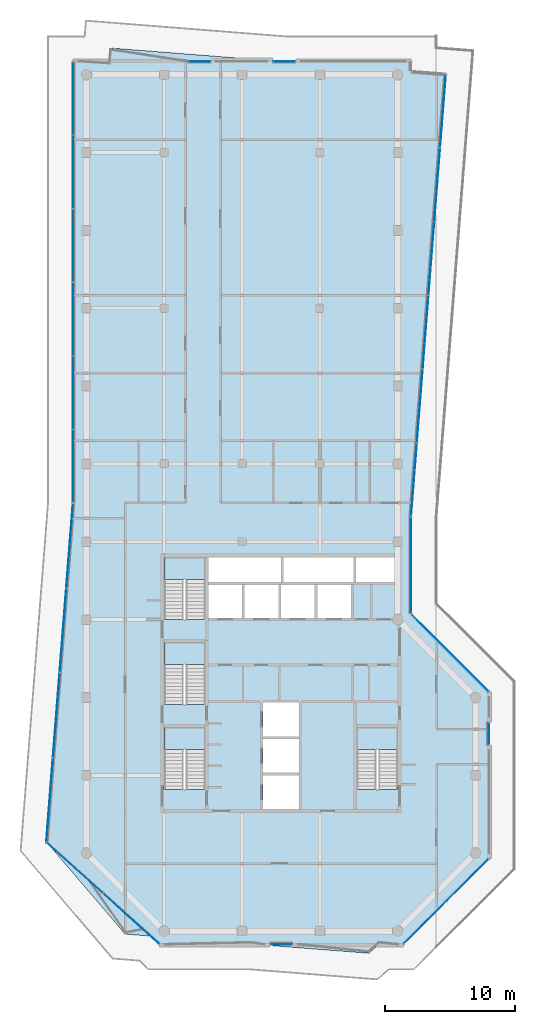
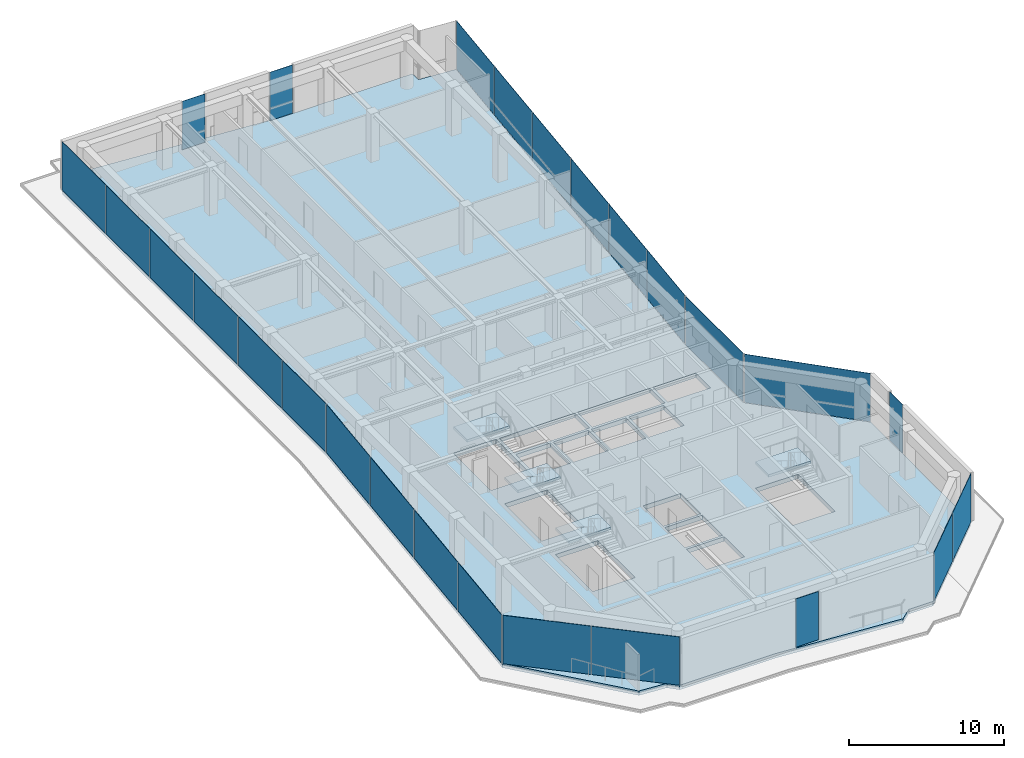
# One storey, part 15 of 22: 26 plates, 5 slabs, 15 elements without a shape of their own.
"""IFC4 building model written with IfcOpenShell, lengths in metres."""

import ifcopenshell
import ifcopenshell.guid

model = None  # the IFC model being written
_history = None  # IfcOwnerHistory: only IFC2X3 demands one
_inside = {}  # id of a spatial element -> (the spatial element, [elements in it])
_under = {}  # id of a project, library or spatial element -> (it, [spatial elements below it])
_declared = {}  # id of a project -> (the project, [libraries it declares])
_typed = {}  # id of a type object -> (the type object, [elements of that type])
_made_of = {}  # id of a material, layer set ... -> (it, [elements and type objects made of it])


def new_model(schema):
    """Start an empty IFC model of exactly this schema.

    Asked for "IFC4X3", IfcOpenShell would pick the latest addendum, in which some entities
    have other attributes; the version numbers below select the first issue.
    IFC2X3 requires an IfcOwnerHistory on every rooted entity: one is made here for all.
    """
    global model, _history
    if schema == "IFC4X3":
        model = ifcopenshell.file(schema_version=(4, 3, 0, 0))
    else:
        model = ifcopenshell.file(schema=schema)
    _inside.clear()
    _under.clear()
    _declared.clear()
    _typed.clear()
    _made_of.clear()
    _history = None
    if model.schema == "IFC2X3":
        org = make("IfcOrganization", Name="unknown")
        user = make(
            "IfcPersonAndOrganization",
            ThePerson=make("IfcPerson", FamilyName="unknown"),
            TheOrganization=org,
        )
        app = make(
            "IfcApplication",
            ApplicationDeveloper=org,
            Version="unknown",
            ApplicationFullName="unknown",
            ApplicationIdentifier="unknown",
        )
        _history = make(
            "IfcOwnerHistory",
            OwningUser=user,
            OwningApplication=app,
            ChangeAction="ADDED",
            CreationDate=0,
        )
    return model


def make(cls, **values):
    """One entity of the class cls with the attributes given. An attribute that is None is left unset."""
    return model.create_entity(
        cls, **{name: value for name, value in values.items() if value is not None}
    )


def rooted(cls, **values):
    """An entity with a GlobalId (a new one), such as an element, a storey or a relation."""
    return make(cls, GlobalId=ifcopenshell.guid.new(), OwnerHistory=_history, **values)


def si_unit(unit_type, name, prefix=None):
    """IfcSIUnit, for example si_unit("LENGTHUNIT", "METRE", prefix="MILLI")."""
    return make("IfcSIUnit", UnitType=unit_type, Prefix=prefix, Name=name)


def assignment(units):
    """IfcUnitAssignment: the units of a project."""
    return None if units is None else make("IfcUnitAssignment", Units=units)


def point(xyz):
    """IfcCartesianPoint."""
    return None if xyz is None else make("IfcCartesianPoint", Coordinates=xyz)


def direction(xyz):
    """IfcDirection."""
    return None if xyz is None else make("IfcDirection", DirectionRatios=xyz)


def frame(location, z_axis=None, x_axis=None):
    """IfcAxis2Placement3D, a coordinate frame: its origin and axes. An axis left out is left unset."""
    return make(
        "IfcAxis2Placement3D",
        Location=point(location),
        Axis=direction(z_axis),
        RefDirection=direction(x_axis),
    )


def frame_2d(location, x_axis=None):
    """IfcAxis2Placement2D, a coordinate frame in the plane: its origin and x axis."""
    return make(
        "IfcAxis2Placement2D", Location=point(location), RefDirection=direction(x_axis)
    )


def origin():
    """The frame at (0, 0, 0) with its axes left unset."""
    return frame((0.0, 0.0, 0.0))


def origin_2d():
    """The frame at (0, 0) in the plane with its x axis left unset."""
    return frame_2d((0.0, 0.0))


def place(relative_to, where):
    """IfcLocalPlacement: puts the frame where relative to a parent placement (None: the world)."""
    return make(
        "IfcLocalPlacement", PlacementRelTo=relative_to, RelativePlacement=where
    )


def context(
    kind, dimensions, precision=None, world=None, true_north=None, identifier=None
):
    """IfcGeometricRepresentationContext, for example the 3D "Model" context."""
    return make(
        "IfcGeometricRepresentationContext",
        ContextIdentifier=identifier,
        ContextType=kind,
        CoordinateSpaceDimension=dimensions,
        Precision=precision,
        WorldCoordinateSystem=world,
        TrueNorth=true_north,
    )


def subcontext(parent, identifier, kind, view, scale=None):
    """IfcGeometricRepresentationSubContext, for example "Body" below "Model"."""
    return make(
        "IfcGeometricRepresentationSubContext",
        ContextIdentifier=identifier,
        ContextType=kind,
        ParentContext=parent,
        TargetScale=scale,
        TargetView=view,
    )


def project(units=None, contexts=None):
    """IfcProject with its units and contexts."""
    return rooted(
        "IfcProject",
        Name="project",
        RepresentationContexts=contexts,
        UnitsInContext=assignment(units),
    )


def spatial(cls, under=None, at=None, **own):
    """A site, building, storey or space (cls), placed at a placement, below another one or the project."""
    s = rooted(cls, ObjectPlacement=at, **own)
    if under is not None:
        _under.setdefault(under.id(), (under, []))[1].append(s)
    return s


def polyline(points):
    """IfcPolyline through the points."""
    return make("IfcPolyline", Points=[point(p) for p in points])


def profile(cls, at=None, kind="AREA", **sizes):
    """A parametric profile (cls). Its sizes go by their IFC names, for example OverallWidth=200.0."""
    return make(cls, ProfileType=kind, Position=at, **sizes)


def rectangle(**sizes):
    """IfcRectangleProfileDef."""
    return profile("IfcRectangleProfileDef", **sizes)


def outline(outer, holes=None, kind="AREA"):
    """IfcArbitraryClosedProfileDef: a profile drawn as a closed curve; with holes, ...WithVoids."""
    if holes is None:
        return make("IfcArbitraryClosedProfileDef", ProfileType=kind, OuterCurve=outer)
    return make(
        "IfcArbitraryProfileDefWithVoids",
        ProfileType=kind,
        OuterCurve=outer,
        InnerCurves=holes,
    )


def extrude(swept, where, along, depth):
    """IfcExtrudedAreaSolid: the profile swept, set in the frame where, extruded along a direction by depth."""
    return make(
        "IfcExtrudedAreaSolid",
        SweptArea=swept,
        Position=where,
        ExtrudedDirection=direction(along),
        Depth=depth,
    )


def shape(context_of_items, identifier, shape_type, items):
    """IfcShapeRepresentation: the items that make up one representation, for example the "Body"."""
    return make(
        "IfcShapeRepresentation",
        ContextOfItems=context_of_items,
        RepresentationIdentifier=identifier,
        RepresentationType=shape_type,
        Items=items,
    )


def material(Name=None, Category=None):
    """IfcMaterial."""
    return make("IfcMaterial", Name=Name, Category=Category)


def layer(
    of_material, thickness, ventilated=None, Name=None, Category=None, Priority=None
):
    """IfcMaterialLayer: one layer of a wall or slab, of a material (None: an air gap)."""
    return make(
        "IfcMaterialLayer",
        Material=of_material,
        LayerThickness=thickness,
        IsVentilated=ventilated,
        Name=Name,
        Category=Category,
        Priority=Priority,
    )


def layer_set(layers, Name=None):
    """IfcMaterialLayerSet."""
    return make("IfcMaterialLayerSet", MaterialLayers=layers, LayerSetName=Name)


def made_of(thing, what):
    """Note that an element or type object is made of a material, layer set ...; save() writes the relation."""
    if what is not None:
        _made_of.setdefault(what.id(), (what, []))[1].append(thing)
    return thing


def type_object(cls, material=None, **own):
    """A type object (cls), such as IfcWallType, which elements share."""
    return made_of(rooted(cls, **own), material)


def element(
    cls,
    number,
    at=None,
    inside=None,
    cuts=None,
    type_object=None,
    material=None,
    context=None,
    identifier="Body",
    shape_type=None,
    held_by="IfcProductDefinitionShape",
    body=None,
    shapes=None,
    **own,
):
    """One element of the class cls, such as IfcWall. Its Tag is "e" and its number.

    at: its placement. inside: the storey or other place that contains it. cuts: it is an
    opening in that element (IfcRelVoidsElement). A single representation is given by context,
    identifier, shape_type and body (its items); several are given by shapes. held_by: the class
    of the entity that holds the representations. save() writes the other relations.
    """
    e = rooted(cls, Tag="e%d" % number, ObjectPlacement=at, **own)
    if body is not None:
        shapes = [shape(context, identifier, shape_type, body)]
    if shapes is not None:
        e.Representation = make(held_by, Representations=shapes)
    if inside is not None:
        _inside.setdefault(inside.id(), (inside, []))[1].append(e)
    if cuts is not None:
        rooted(
            "IfcRelVoidsElement", RelatingBuildingElement=cuts, RelatedOpeningElement=e
        )
    if type_object is not None:
        _typed.setdefault(type_object.id(), (type_object, []))[1].append(e)
    return made_of(e, material)


def aggregate(whole, parts):
    """IfcRelAggregates: a whole, such as a stair, and the parts it consists of."""
    return rooted("IfcRelAggregates", RelatingObject=whole, RelatedObjects=parts)


def save(model, path):
    """Write the relations noted so far, then the file.

    IfcRelAggregates (storeys below a building ...), IfcRelContainedInSpatialStructure (elements
    in a storey), IfcRelDefinesByType, IfcRelAssociatesMaterial and IfcRelDeclares: one each for
    every whole, place, type object, material and project.
    """
    for whole, parts in _under.values():
        aggregate(whole, parts)
    for where, things in _inside.values():
        rooted(
            "IfcRelContainedInSpatialStructure",
            RelatedElements=things,
            RelatingStructure=where,
        )
    for kind, things in _typed.values():
        rooted("IfcRelDefinesByType", RelatedObjects=things, RelatingType=kind)
    for what, things in _made_of.values():
        rooted("IfcRelAssociatesMaterial", RelatedObjects=things, RelatingMaterial=what)
    for by, libraries in _declared.values():
        rooted("IfcRelDeclares", RelatingContext=by, RelatedDefinitions=libraries)
    model.write(path)


model = new_model("IFC4")

# Units and contexts
model_context = context("Model", 3, precision=1e-05, world=origin(), true_north=direction((0.0, 1.0)))
body_context = subcontext(model_context, "Body", "Model", "MODEL_VIEW")
ifc_project = project(units=[si_unit("LENGTHUNIT", "METRE"), si_unit("AREAUNIT", "SQUARE_METRE"), si_unit("VOLUMEUNIT", "CUBIC_METRE"), si_unit("PLANEANGLEUNIT", "RADIAN"), si_unit("MASSUNIT", "GRAM", prefix="KILO")], contexts=[model_context])

# Site, building, storey
site_placement = place(None, origin())
site = spatial("IfcSite", under=ifc_project, at=site_placement, CompositionType="ELEMENT")
building_placement = place(site_placement, origin())
building = spatial("IfcBuilding", under=site, at=building_placement, Name="Welwitschia Terrace Campus", CompositionType="ELEMENT")
storey_placement = place(building_placement, frame((0.0, 0.0, 268.39990234375)))
storey = spatial("IfcBuildingStorey", under=building, at=storey_placement, Name="L59", CompositionType="ELEMENT", Elevation=268.39990234375)

# Curtain wall, plates
ifc_material_1 = material(Name="Bronze anodised aluminium", Category="aluminium")
ifc_layer_1 = layer(ifc_material_1, 0.1201171875)
ifc_layer_set_1 = layer_set([ifc_layer_1], Name="Bronze anodised aluminium")
curtain_wall_type = type_object("IfcCurtainWallType", Name="Curtain wall CW2 tower 6000", PredefinedType="NOTDEFINED", material=ifc_layer_set_1)
curtain_wall_1_placement = place(storey_placement, origin())
curtain_wall_1 = element("IfcCurtainWall", 1, at=curtain_wall_1_placement, inside=storey, type_object=curtain_wall_type, Name="CW L59.0.0", PredefinedType="NOTDEFINED")
ifc_material_2 = material(Name="Tinted bronze-grey glass", Category="glass")
ifc_layer_2 = layer(ifc_material_2, 0.028076171875)
ifc_layer_set_2 = layer_set([ifc_layer_2], Name="Tinted bronze-grey glass")
plate_type = type_object("IfcPlateType", Name="Glass panel 28 tinted", PredefinedType="CURTAIN_PANEL", material=ifc_layer_set_2)
plate_1_placement = place(storey_placement, frame((-1.030029296875, 60.17724609375, 0.0), z_axis=(0.0, 0.0, 1.0), x_axis=(0.0, -1.0, 0.0)))
plate_1 = element("IfcPlate", 2, at=plate_1_placement, type_object=plate_type, Name="Panel L59.0.0.0", PredefinedType="CURTAIN_PANEL", context=body_context, shape_type="SweptSolid", body=[
    extrude(rectangle(XDim=5.58544921875, YDim=0.028076171875, at=origin_2d()), origin(), (0.0, 0.0, 1.0), 3.800048828125),
])
plate_2_placement = place(storey_placement, frame((-1.030029296875, 54.516845703125, 0.0), z_axis=(0.0, 0.0, 1.0), x_axis=(0.0, -1.0, 0.0)))
plate_2 = element("IfcPlate", 3, at=plate_2_placement, type_object=plate_type, Name="Panel L59.0.0.1", PredefinedType="CURTAIN_PANEL", context=body_context, shape_type="SweptSolid", body=[
    extrude(rectangle(XDim=5.615478515625, YDim=0.028076171875, at=origin_2d()), origin(), (0.0, 0.0, 1.0), 3.800048828125),
])
plate_3_placement = place(storey_placement, frame((-1.030029296875, 48.841552734375, 0.0), z_axis=(0.0, 0.0, 1.0), x_axis=(0.0, -1.0, 0.0)))
plate_3 = element("IfcPlate", 4, at=plate_3_placement, type_object=plate_type, Name="Panel L59.0.0.2", PredefinedType="CURTAIN_PANEL", context=body_context, shape_type="SweptSolid", body=[
    extrude(rectangle(XDim=5.615478515625, YDim=0.028076171875, at=origin_2d()), origin(), (0.0, 0.0, 1.0), 3.800048828125),
])
plate_4_placement = place(storey_placement, frame((-1.030029296875, 43.166015625, 0.0), z_axis=(0.0, 0.0, 1.0), x_axis=(0.0, -1.0, 0.0)))
plate_4 = element("IfcPlate", 5, at=plate_4_placement, type_object=plate_type, Name="Panel L59.0.0.3", PredefinedType="CURTAIN_PANEL", context=body_context, shape_type="SweptSolid", body=[
    extrude(rectangle(XDim=5.615478515625, YDim=0.028076171875, at=origin_2d()), origin(), (0.0, 0.0, 1.0), 3.800048828125),
])
plate_5_placement = place(storey_placement, frame((-1.030029296875, 37.49072265625, 0.0), z_axis=(0.0, 0.0, 1.0), x_axis=(0.0, -1.0, 0.0)))
plate_5 = element("IfcPlate", 6, at=plate_5_placement, type_object=plate_type, Name="Panel L59.0.0.4", PredefinedType="CURTAIN_PANEL", context=body_context, shape_type="SweptSolid", body=[
    extrude(rectangle(XDim=5.615478515625, YDim=0.028076171875, at=origin_2d()), origin(), (0.0, 0.0, 1.0), 3.800048828125),
])
plate_6_placement = place(storey_placement, frame((-1.030029296875, 31.830322265625, 0.0), z_axis=(0.0, 0.0, 1.0), x_axis=(0.0, -1.0, 0.0)))
plate_6 = element("IfcPlate", 7, at=plate_6_placement, type_object=plate_type, Name="Panel L59.0.0.5", PredefinedType="CURTAIN_PANEL", context=body_context, shape_type="SweptSolid", body=[
    extrude(rectangle(XDim=5.58544921875, YDim=0.028076171875, at=origin_2d()), origin(), (0.0, 0.0, 1.0), 3.800048828125),
])
aggregate(curtain_wall_1, [plate_1, plate_2, plate_3, plate_4, plate_5, plate_6])

curtain_wall_2_placement = place(storey_placement, origin())
curtain_wall_2 = element("IfcCurtainWall", 8, at=curtain_wall_2_placement, inside=storey, type_object=curtain_wall_type, Name="CW L59.1.0", PredefinedType="NOTDEFINED")
plate_7_placement = place(storey_placement, frame((-1.288330078125, 25.694580078125, 0.0), z_axis=(0.0, 0.0, 1.0), x_axis=(-0.078459095728, -0.996917333733, 0.0)))
plate_7 = element("IfcPlate", 9, at=plate_7_placement, type_object=plate_type, Name="Panel L59.1.0.0", PredefinedType="CURTAIN_PANEL", context=body_context, shape_type="SweptSolid", body=[
    extrude(rectangle(XDim=6.46630859375, YDim=0.028076171875, at=origin_2d()), origin(), (0.0, 0.0, 1.0), 3.800048828125),
])
plate_8_placement = place(storey_placement, frame((-1.801513671875, 19.17333984375, 0.0), z_axis=(0.0, 0.0, 1.0), x_axis=(-0.078459095728, -0.996917333733, 0.0)))
plate_8 = element("IfcPlate", 10, at=plate_8_placement, type_object=plate_type, Name="Panel L59.1.0.1", PredefinedType="CURTAIN_PANEL", context=body_context, shape_type="SweptSolid", body=[
    extrude(rectangle(XDim=6.496337890625, YDim=0.028076171875, at=origin_2d()), origin(), (0.0, 0.0, 1.0), 3.800048828125),
])
plate_9_placement = place(storey_placement, frame((-2.31591796875, 12.63720703125, 0.0), z_axis=(0.0, 0.0, 1.0), x_axis=(-0.078459095728, -0.996917333733, 0.0)))
plate_9 = element("IfcPlate", 11, at=plate_9_placement, type_object=plate_type, Name="Panel L59.1.0.2", PredefinedType="CURTAIN_PANEL", context=body_context, shape_type="SweptSolid", body=[
    extrude(rectangle(XDim=6.496337890625, YDim=0.028076171875, at=origin_2d()), origin(), (0.0, 0.0, 1.0), 3.800048828125),
])
plate_10_placement = place(storey_placement, frame((-2.829345703125, 6.1162109375, 0.0), z_axis=(0.0, 0.0, 1.0), x_axis=(-0.078459095728, -0.996917333733, 0.0)))
plate_10 = element("IfcPlate", 12, at=plate_10_placement, type_object=plate_type, Name="Panel L59.1.0.3", PredefinedType="CURTAIN_PANEL", context=body_context, shape_type="SweptSolid", body=[
    extrude(rectangle(XDim=6.46630859375, YDim=0.028076171875, at=origin_2d()), origin(), (0.0, 0.0, 1.0), 3.800048828125),
])
aggregate(curtain_wall_2, [plate_7, plate_8, plate_9, plate_10])

curtain_wall_3_placement = place(storey_placement, origin())
curtain_wall_3 = element("IfcCurtainWall", 13, at=curtain_wall_3_placement, inside=storey, type_object=curtain_wall_type, Name="CW L59.2.0", PredefinedType="NOTDEFINED")
plate_11_placement = place(storey_placement, frame((-0.89453125, 0.857421875, 0.0), z_axis=(0.0, 0.0, 1.0), x_axis=(0.742939494275, -0.669358579423, 0.0)))
plate_11 = element("IfcPlate", 14, at=plate_11_placement, type_object=plate_type, Name="Panel L59.2.0.0", PredefinedType="CURTAIN_PANEL", context=body_context, shape_type="SweptSolid", body=[
    extrude(rectangle(XDim=5.78369140625, YDim=0.028076171875, at=origin_2d()), origin(), (0.0, 0.0, 1.0), 3.800048828125),
])
plate_12_placement = place(storey_placement, frame((3.44677734375, -3.05419921875, 0.0), z_axis=(0.0, 0.0, 1.0), x_axis=(0.742939494275, -0.669358579423, 0.0)))
plate_12 = element("IfcPlate", 15, at=plate_12_placement, type_object=plate_type, Name="Panel L59.2.0.1", PredefinedType="CURTAIN_PANEL", context=body_context, shape_type="SweptSolid", body=[
    extrude(rectangle(XDim=5.78369140625, YDim=0.028076171875, at=origin_2d()), origin(), (0.0, 0.0, 1.0), 3.800048828125),
])
aggregate(curtain_wall_3, [plate_11, plate_12])

# Curtain wall, plate
curtain_wall_4_placement = place(storey_placement, origin())
curtain_wall_4 = element("IfcCurtainWall", 16, at=curtain_wall_4_placement, inside=storey, type_object=curtain_wall_type, Name="CW L59.3.S0", PredefinedType="NOTDEFINED")
plate_13_placement = place(storey_placement, frame((15.033203125, -5.030029296875, 0.0), z_axis=(0.0, 0.0, 1.0), x_axis=(1.0, 0.0, 0.0)))
plate_13 = element("IfcPlate", 17, at=plate_13_placement, type_object=plate_type, Name="Panel L59.3.S0.0", PredefinedType="CURTAIN_PANEL", context=body_context, shape_type="SweptSolid", body=[
    extrude(rectangle(XDim=1.679931640625, YDim=0.028076171875, at=origin_2d()), origin(), (0.0, 0.0, 1.0), 3.800048828125),
])
aggregate(curtain_wall_4, [plate_13])

# Curtain wall, plates
curtain_wall_5_placement = place(storey_placement, origin())
curtain_wall_5 = element("IfcCurtainWall", 18, at=curtain_wall_5_placement, inside=storey, type_object=curtain_wall_type, Name="CW L59.4.0", PredefinedType="NOTDEFINED")
plate_14_placement = place(storey_placement, frame((26.088134765625, -3.36865234375, 0.0), z_axis=(0.0, 0.0, 1.0), x_axis=(0.707106781187, 0.707106781187, 0.0)))
plate_14 = element("IfcPlate", 19, at=plate_14_placement, type_object=plate_type, Name="Panel L59.4.0.0", PredefinedType="CURTAIN_PANEL", context=body_context, shape_type="SweptSolid", body=[
    extrude(rectangle(XDim=4.579345703125, YDim=0.028076171875, at=origin_2d()), origin(), (0.0, 0.0, 1.0), 3.800048828125),
])
plate_15_placement = place(storey_placement, frame((29.36865234375, -0.088134765625, 0.0), z_axis=(0.0, 0.0, 1.0), x_axis=(0.707106781187, 0.707106781187, 0.0)))
plate_15 = element("IfcPlate", 20, at=plate_15_placement, type_object=plate_type, Name="Panel L59.4.0.1", PredefinedType="CURTAIN_PANEL", context=body_context, shape_type="SweptSolid", body=[
    extrude(rectangle(XDim=4.579345703125, YDim=0.028076171875, at=origin_2d()), origin(), (0.0, 0.0, 1.0), 3.800048828125),
])
aggregate(curtain_wall_5, [plate_14, plate_15])

# Curtain wall, plate
curtain_wall_6_placement = place(storey_placement, origin())
curtain_wall_6 = element("IfcCurtainWall", 21, at=curtain_wall_6_placement, inside=storey, type_object=curtain_wall_type, Name="CW L59.5.S0", PredefinedType="NOTDEFINED")
plate_16_placement = place(storey_placement, frame((31.030029296875, 11.21337890625, 0.0), z_axis=(0.0, 0.0, 1.0), x_axis=(0.0, 1.0, 0.0)))
plate_16 = element("IfcPlate", 22, at=plate_16_placement, type_object=plate_type, Name="Panel L59.5.S0.0", PredefinedType="CURTAIN_PANEL", context=body_context, shape_type="SweptSolid", body=[
    extrude(rectangle(XDim=1.679931640625, YDim=0.028076171875, at=origin_2d()), origin(), (0.0, 0.0, 1.0), 3.800048828125),
])
aggregate(curtain_wall_6, [plate_16])

curtain_wall_7_placement = place(storey_placement, origin())
curtain_wall_7 = element("IfcCurtainWall", 23, at=curtain_wall_7_placement, inside=storey, type_object=curtain_wall_type, Name="CW L59.6.0", PredefinedType="NOTDEFINED")
plate_17_placement = place(storey_placement, frame((28.030029296875, 17.4267578125, 0.0), z_axis=(0.0, 0.0, 1.0), x_axis=(-0.707106781187, 0.707106781187, 0.0)))
plate_17 = element("IfcPlate", 24, at=plate_17_placement, type_object=plate_type, Name="Panel L59.6.0.0", PredefinedType="CURTAIN_PANEL", context=body_context, shape_type="SweptSolid", body=[
    extrude(rectangle(XDim=8.365234375, YDim=0.028076171875, at=origin_2d()), origin(), (0.0, 0.0, 1.0), 3.800048828125),
])
aggregate(curtain_wall_7, [plate_17])

curtain_wall_8_placement = place(storey_placement, origin())
curtain_wall_8 = element("IfcCurtainWall", 25, at=curtain_wall_8_placement, inside=storey, type_object=curtain_wall_type, Name="CW L59.7.0", PredefinedType="NOTDEFINED")
plate_18_placement = place(storey_placement, frame((25.030029296875, 24.190185546875, 0.0), z_axis=(0.0, 0.0, 1.0), x_axis=(0.0, 1.0, 0.0)))
plate_18 = element("IfcPlate", 26, at=plate_18_placement, type_object=plate_type, Name="Panel L59.7.0.0", PredefinedType="CURTAIN_PANEL", context=body_context, shape_type="SweptSolid", body=[
    extrude(rectangle(XDim=7.406982421875, YDim=0.028076171875, at=origin_2d()), origin(), (0.0, 0.0, 1.0), 3.800048828125),
])
aggregate(curtain_wall_8, [plate_18])

# Curtain wall, plates
curtain_wall_9_placement = place(storey_placement, origin())
curtain_wall_9 = element("IfcCurtainWall", 27, at=curtain_wall_9_placement, inside=storey, type_object=curtain_wall_type, Name="CW L59.8.0", PredefinedType="NOTDEFINED")
plate_19_placement = place(storey_placement, frame((25.2548828125, 30.810546875, 0.0), z_axis=(0.0, 0.0, 1.0), x_axis=(0.078459095728, 0.996917333733, 0.0)))
plate_19 = element("IfcPlate", 28, at=plate_19_placement, type_object=plate_type, Name="Panel L59.8.0.0", PredefinedType="CURTAIN_PANEL", context=body_context, shape_type="SweptSolid", body=[
    extrude(rectangle(XDim=5.611328125, YDim=0.028076171875, at=origin_2d()), origin(), (0.0, 0.0, 1.0), 3.800048828125),
])
plate_20_placement = place(storey_placement, frame((25.700927734375, 36.479248046875, 0.0), z_axis=(0.0, 0.0, 1.0), x_axis=(0.078459095728, 0.996917333733, 0.0)))
plate_20 = element("IfcPlate", 29, at=plate_20_placement, type_object=plate_type, Name="Panel L59.8.0.1", PredefinedType="CURTAIN_PANEL", context=body_context, shape_type="SweptSolid", body=[
    extrude(rectangle(XDim=5.641357421875, YDim=0.028076171875, at=origin_2d()), origin(), (0.0, 0.0, 1.0), 3.800048828125),
])
plate_21_placement = place(storey_placement, frame((26.148193359375, 42.162841796875, 0.0), z_axis=(0.0, 0.0, 1.0), x_axis=(0.078459095728, 0.996917333733, 0.0)))
plate_21 = element("IfcPlate", 30, at=plate_21_placement, type_object=plate_type, Name="Panel L59.8.0.2", PredefinedType="CURTAIN_PANEL", context=body_context, shape_type="SweptSolid", body=[
    extrude(rectangle(XDim=5.641357421875, YDim=0.028076171875, at=origin_2d()), origin(), (0.0, 0.0, 1.0), 3.800048828125),
])
plate_22_placement = place(storey_placement, frame((26.595703125, 47.846435546875, 0.0), z_axis=(0.0, 0.0, 1.0), x_axis=(0.078459095728, 0.996917333733, 0.0)))
plate_22 = element("IfcPlate", 31, at=plate_22_placement, type_object=plate_type, Name="Panel L59.8.0.3", PredefinedType="CURTAIN_PANEL", context=body_context, shape_type="SweptSolid", body=[
    extrude(rectangle(XDim=5.641357421875, YDim=0.028076171875, at=origin_2d()), origin(), (0.0, 0.0, 1.0), 3.800048828125),
])
plate_23_placement = place(storey_placement, frame((27.04296875, 53.5302734375, 0.0), z_axis=(0.0, 0.0, 1.0), x_axis=(0.078459095728, 0.996917333733, 0.0)))
plate_23 = element("IfcPlate", 32, at=plate_23_placement, type_object=plate_type, Name="Panel L59.8.0.4", PredefinedType="CURTAIN_PANEL", context=body_context, shape_type="SweptSolid", body=[
    extrude(rectangle(XDim=5.641357421875, YDim=0.028076171875, at=origin_2d()), origin(), (0.0, 0.0, 1.0), 3.800048828125),
])
plate_24_placement = place(storey_placement, frame((27.489013671875, 59.198974609375, 0.0), z_axis=(0.0, 0.0, 1.0), x_axis=(0.078459095728, 0.996917333733, 0.0)))
plate_24 = element("IfcPlate", 33, at=plate_24_placement, type_object=plate_type, Name="Panel L59.8.0.5", PredefinedType="CURTAIN_PANEL", context=body_context, shape_type="SweptSolid", body=[
    extrude(rectangle(XDim=5.611328125, YDim=0.028076171875, at=origin_2d()), origin(), (0.0, 0.0, 1.0), 3.800048828125),
])
aggregate(curtain_wall_9, [plate_19, plate_20, plate_21, plate_22, plate_23, plate_24])

# Curtain wall, plate
curtain_wall_10_placement = place(storey_placement, origin())
curtain_wall_10 = element("IfcCurtainWall", 34, at=curtain_wall_10_placement, inside=storey, type_object=curtain_wall_type, Name="CW L59.11.S0", PredefinedType="NOTDEFINED")
plate_25_placement = place(storey_placement, frame((15.257568359375, 63.030029296875, 0.0), z_axis=(0.0, 0.0, 1.0), x_axis=(-1.0, 0.0, 0.0)))
plate_25 = element("IfcPlate", 35, at=plate_25_placement, type_object=plate_type, Name="Panel L59.11.S0.0", PredefinedType="CURTAIN_PANEL", context=body_context, shape_type="SweptSolid", body=[
    extrude(rectangle(XDim=1.679931640625, YDim=0.028076171875, at=origin_2d()), origin(), (0.0, 0.0, 1.0), 3.800048828125),
])
aggregate(curtain_wall_10, [plate_25])

curtain_wall_11_placement = place(storey_placement, origin())
curtain_wall_11 = element("IfcCurtainWall", 36, at=curtain_wall_11_placement, inside=storey, type_object=curtain_wall_type, Name="CW L59.11.S1", PredefinedType="NOTDEFINED")
plate_26_placement = place(storey_placement, frame((8.742431640625, 63.030029296875, 0.0), z_axis=(0.0, 0.0, 1.0), x_axis=(-1.0, 0.0, 0.0)))
plate_26 = element("IfcPlate", 37, at=plate_26_placement, type_object=plate_type, Name="Panel L59.11.S1.0", PredefinedType="CURTAIN_PANEL", context=body_context, shape_type="SweptSolid", body=[
    extrude(rectangle(XDim=1.679931640625, YDim=0.028076171875, at=origin_2d()), origin(), (0.0, 0.0, 1.0), 3.800048828125),
])
aggregate(curtain_wall_11, [plate_26])

# Stair, slab
ifc_material_3 = material(Name="Concrete C40/50", Category="concrete")
stair_type = type_object("IfcStairType", Name="Stair 24R 175 W1500", PredefinedType="HALF_TURN_STAIR", material=ifc_material_3)
stair_1_placement = place(storey_placement, origin())
stair_1 = element("IfcStair", 38, at=stair_1_placement, inside=storey, type_object=stair_type, Name="L59 Exit stair S1", PredefinedType="HALF_TURN_STAIR")
ifc_material_4 = material(Name="Concrete C40/50", Category="concrete")
ifc_layer_3 = layer(ifc_material_4, 0.199951171875)
ifc_layer_set_3 = layer_set([ifc_layer_3], Name="Concrete C40/50")
slab_type_1 = type_object("IfcSlabType", Name="Stair landing RC", PredefinedType="LANDING", material=ifc_layer_set_3)
slab_1_placement = place(storey_placement, frame((0.0, 0.0, 1.900146484375)))
slab_1 = element("IfcSlab", 39, at=slab_1_placement, type_object=slab_type_1, Name="S1 landing 1", PredefinedType="LANDING", context=body_context, shape_type="SweptSolid", body=[
    extrude(outline(polyline([(9.14990234375, 9.97998046875), (9.14990234375, 11.699951171875), (6.0, 11.699951171875), (6.0, 9.97998046875), (9.14990234375, 9.97998046875)])), origin(), (0.0, 0.0, 1.0), 0.199951171875),
])
aggregate(stair_1, [slab_1])

stair_2_placement = place(storey_placement, origin())
stair_2 = element("IfcStair", 40, at=stair_2_placement, inside=storey, type_object=stair_type, Name="L59 Exit stair S3", PredefinedType="HALF_TURN_STAIR")
slab_2_placement = place(storey_placement, frame((0.0, 0.0, 1.900146484375)))
slab_2 = element("IfcSlab", 41, at=slab_2_placement, type_object=slab_type_1, Name="S3 landing 1", PredefinedType="LANDING", context=body_context, shape_type="SweptSolid", body=[
    extrude(outline(polyline([(9.14990234375, 16.530029296875), (9.14990234375, 18.25), (6.0, 18.25), (6.0, 16.530029296875), (9.14990234375, 16.530029296875)])), origin(), (0.0, 0.0, 1.0), 0.199951171875),
])
aggregate(stair_2, [slab_2])

stair_3_placement = place(storey_placement, origin())
stair_3 = element("IfcStair", 42, at=stair_3_placement, inside=storey, type_object=stair_type, Name="L59 Exit stair S4", PredefinedType="HALF_TURN_STAIR")
slab_3_placement = place(storey_placement, frame((0.0, 0.0, 1.900146484375)))
slab_3 = element("IfcSlab", 43, at=slab_3_placement, type_object=slab_type_1, Name="S4 landing 1", PredefinedType="LANDING", context=body_context, shape_type="SweptSolid", body=[
    extrude(outline(polyline([(9.14990234375, 23.080078125), (9.14990234375, 24.800048828125), (6.0, 24.800048828125), (6.0, 23.080078125), (9.14990234375, 23.080078125)])), origin(), (0.0, 0.0, 1.0), 0.199951171875),
])
aggregate(stair_3, [slab_3])

stair_4_placement = place(storey_placement, origin())
stair_4 = element("IfcStair", 44, at=stair_4_placement, inside=storey, type_object=stair_type, Name="L59 Exit stair S2", PredefinedType="HALF_TURN_STAIR")
slab_4_placement = place(storey_placement, frame((0.0, 0.0, 1.900146484375)))
slab_4 = element("IfcSlab", 45, at=slab_4_placement, type_object=slab_type_1, Name="S2 landing 1", PredefinedType="LANDING", context=body_context, shape_type="SweptSolid", body=[
    extrude(outline(polyline([(24.0, 9.97998046875), (24.0, 11.699951171875), (20.85009765625, 11.699951171875), (20.85009765625, 9.97998046875), (24.0, 9.97998046875)])), origin(), (0.0, 0.0, 1.0), 0.199951171875),
])
aggregate(stair_4, [slab_4])

# Slab
ifc_material_5 = material(Name="Concrete C40/50", Category="concrete")
ifc_layer_4 = layer(ifc_material_5, 0.35009765625)
ifc_layer_set_4 = layer_set([ifc_layer_4], Name="Concrete C40/50")
slab_type_2 = type_object("IfcSlabType", Name="Suspended floor slab 350", PredefinedType="FLOOR", material=ifc_layer_set_4)
slab_5_placement = place(storey_placement, frame((0.0, 0.0, -0.349853515625)))
element("IfcSlab", 46, at=slab_5_placement, inside=storey, type_object=slab_type_2, Name="Floor slab L59", PredefinedType="FLOOR", context=body_context, shape_type="SweptSolid", body=[
    extrude(outline(polyline([(1.677734375, 63.0), (1.76171875, 64.068115234375), (15.3330078125, 63.0), (25.0, 63.0), (25.0, 62.2392578125), (27.681640625, 62.028076171875), (25.0, 27.954833984375), (25.0, 20.414306640625), (31.0, 14.414306640625), (31.0, 1.585693359375), (24.414306640625, -5.0), (22.60107421875, -5.0), (21.762451171875, -5.71630859375), (12.6611328125, -5.0), (5.585693359375, -5.0), (4.9814453125, -4.3955078125), (2.991943359375, -4.239013671875), (-3.056640625, 2.84326171875), (-1.0, 28.976318359375), (-1.0, 63.0), (1.677734375, 63.0)]), holes=[polyline([(13.60009765625, 8.0), (13.60009765625, 5.39990234375), (16.39990234375, 5.39990234375), (16.39990234375, 8.0), (13.60009765625, 8.0)]), polyline([(9.14990234375, 11.699951171875), (6.0, 11.699951171875), (6.0, 6.902099609375), (9.14990234375, 6.902099609375), (9.14990234375, 11.699951171875)]), polyline([(9.14990234375, 18.25), (6.0, 18.25), (6.0, 13.451904296875), (9.14990234375, 13.451904296875), (9.14990234375, 18.25)]), polyline([(12.0, 22.699951171875), (9.39990234375, 22.699951171875), (9.39990234375, 20.10009765625), (12.0, 20.10009765625), (12.0, 22.699951171875)]), polyline([(14.800048828125, 22.699951171875), (12.199951171875, 22.699951171875), (12.199951171875, 20.10009765625), (14.800048828125, 20.10009765625), (14.800048828125, 22.699951171875)]), polyline([(9.14990234375, 24.800048828125), (6.0, 24.800048828125), (6.0, 20.001953125), (9.14990234375, 20.001953125), (9.14990234375, 24.800048828125)]), polyline([(15.0, 24.800048828125), (9.39990234375, 24.800048828125), (9.39990234375, 22.89990234375), (15.0, 22.89990234375), (15.0, 24.800048828125)]), polyline([(20.85009765625, 11.699951171875), (20.85009765625, 6.902099609375), (24.0, 6.902099609375), (24.0, 11.699951171875), (20.85009765625, 11.699951171875)]), polyline([(16.39990234375, 10.800048828125), (13.60009765625, 10.800048828125), (13.60009765625, 8.199951171875), (16.39990234375, 8.199951171875), (16.39990234375, 10.800048828125)]), polyline([(16.39990234375, 13.60009765625), (13.60009765625, 13.60009765625), (13.60009765625, 11.0), (16.39990234375, 11.0), (16.39990234375, 13.60009765625)]), polyline([(17.60009765625, 22.699951171875), (15.0, 22.699951171875), (15.0, 20.10009765625), (17.60009765625, 20.10009765625), (17.60009765625, 22.699951171875)]), polyline([(20.39990234375, 22.699951171875), (17.800048828125, 22.699951171875), (17.800048828125, 20.10009765625), (20.39990234375, 20.10009765625), (20.39990234375, 22.699951171875)]), polyline([(20.60009765625, 24.800048828125), (15.199951171875, 24.800048828125), (15.199951171875, 22.89990234375), (20.60009765625, 22.89990234375), (20.60009765625, 24.800048828125)]), polyline([(24.0, 24.800048828125), (20.800048828125, 24.800048828125), (20.800048828125, 22.89990234375), (24.0, 22.89990234375), (24.0, 24.800048828125)])]), origin(), (0.0, 0.0, 1.0), 0.349853515625),
])

save(model, "model.ifc")
